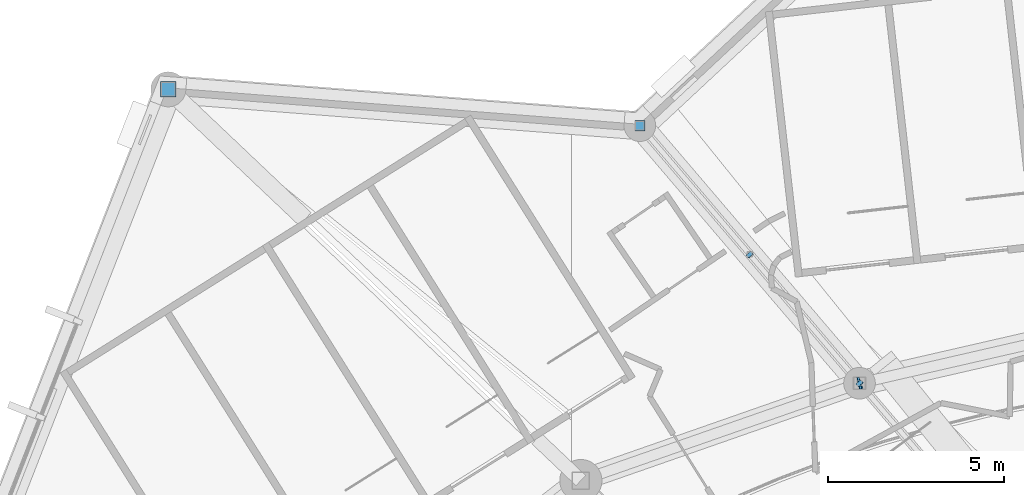
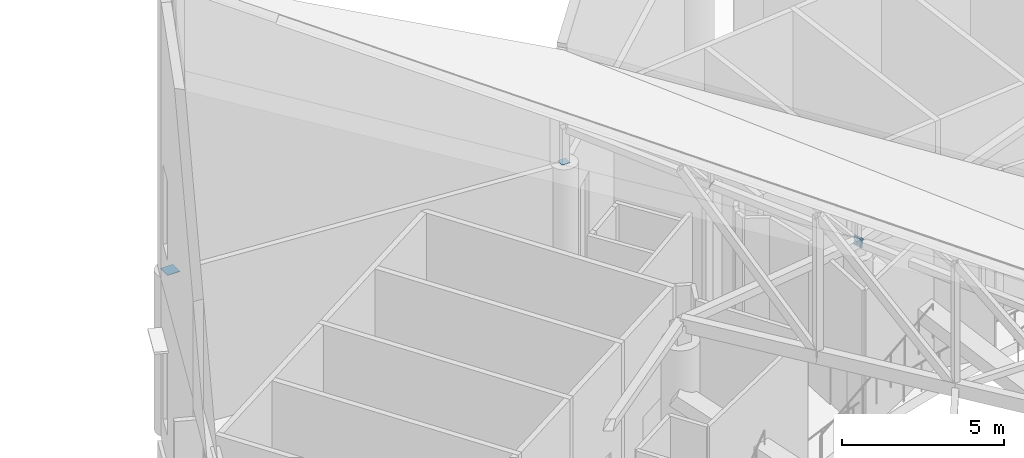
# One storey, part 324 of 344: 6 discrete accessories.
"""IFC4 building model written with IfcOpenShell, lengths in metres."""

from ifc_helpers import new_model, si_unit, direction, frame, origin, origin_2d, place, context, subcontext, project, spatial, rectangle, extrude, material, material_profile, profile_set, type_object, element, save


model = new_model("IFC4")

# Units and contexts
model_context = context("Model", 3, precision=1e-05, world=origin(), true_north=direction((0.0, 1.0)))
body_context = subcontext(model_context, "Body", "Model", "MODEL_VIEW")
ifc_project = project(units=[si_unit("LENGTHUNIT", "METRE"), si_unit("AREAUNIT", "SQUARE_METRE"), si_unit("VOLUMEUNIT", "CUBIC_METRE"), si_unit("PLANEANGLEUNIT", "RADIAN"), si_unit("MASSUNIT", "GRAM", prefix="KILO")], contexts=[model_context])

# Site, building, storey
site_placement = place(None, origin())
site = spatial("IfcSite", under=ifc_project, at=site_placement, CompositionType="ELEMENT")
building_placement = place(site_placement, origin())
building = spatial("IfcBuilding", under=site, at=building_placement, Name="Meseta Stadium", CompositionType="ELEMENT")
storey_placement = place(building_placement, frame((0.0, 0.0, 24.0)))
storey = spatial("IfcBuildingStorey", under=building, at=storey_placement, Name="L04", CompositionType="ELEMENT", Elevation=24.0)

# Discrete accessories
ifc_material_1 = material(Name="Steel S355", Category="steel")
ifc_material_profile_1 = material_profile(ifc_material_1, rectangle(XDim=0.179931640625, YDim=0.179931640625, at=origin_2d()), Name="PL 180x180")
ifc_profile_set_1 = profile_set([ifc_material_profile_1], Name="Steel S355")
discrete_accessory_type_1 = type_object("IfcDiscreteAccessoryType", Name="End plate 180x180x20", PredefinedType="ANCHORPLATE", material=ifc_profile_set_1)
for number, where, z_axis, x_axis, name in (
    (1, (-55.788818359375, 88.529296875, 5.234375), (-0.539440954056, 0.625261105838, 0.563960997422), (-0.757156729179, -0.653233256547, 0.0), "End plate of ROOF TRUSS RT-23 diagonal"),
    (2, (-58.914794921875, 92.19482421875, 6.26953125), (-0.539440954056, 0.625261105838, 0.563960997422), (-0.757156729179, -0.653233256547, 0.0), "End plate of ROOF TRUSS RT-23 diagonal"),
):
    element("IfcDiscreteAccessory", number, at=place(storey_placement, frame(where, z_axis=z_axis, x_axis=x_axis)), inside=storey, type_object=discrete_accessory_type_1, Name=name, PredefinedType="ANCHORPLATE", context=body_context, shape_type="SweptSolid", body=[
        extrude(rectangle(XDim=0.179931640625, YDim=0.179931640625, at=origin_2d()), origin(), (0.0, 0.0, 1.0), 0.02001953125),
    ])
ifc_material_2 = material(Name="Steel S355", Category="steel")
ifc_material_profile_2 = material_profile(ifc_material_2, rectangle(XDim=0.2900390625, YDim=0.2900390625, at=origin_2d()), Name="PL 290x290")
ifc_profile_set_2 = profile_set([ifc_material_profile_2], Name="Steel S355")
discrete_accessory_type_2 = type_object("IfcDiscreteAccessoryType", Name="End plate 290x290x20", PredefinedType="ANCHORPLATE", material=ifc_profile_set_2)
discrete_accessory_1_placement = place(storey_placement, frame((-62.051513671875, 95.872802734375, 5.97998046875), z_axis=(0.0, 0.0, 1.0), x_axis=(1.0, 0.0, 0.0)))
element("IfcDiscreteAccessory", 3, at=discrete_accessory_1_placement, inside=storey, type_object=discrete_accessory_type_2, Name="End plate of ROOF RIM POST RT-23", PredefinedType="ANCHORPLATE", context=body_context, shape_type="SweptSolid", body=[
    extrude(rectangle(XDim=0.2900390625, YDim=0.2900390625, at=origin_2d()), origin(), (0.0, 0.0, 1.0), 0.02001953125),
])
ifc_material_3 = material(Name="Steel S355", Category="steel")
ifc_material_profile_3 = material_profile(ifc_material_3, rectangle(XDim=0.340087890625, YDim=0.340087890625, at=origin_2d()), Name="PL 340x340")
ifc_profile_set_3 = profile_set([ifc_material_profile_3], Name="Steel S355")
discrete_accessory_type_3 = type_object("IfcDiscreteAccessoryType", Name="End plate 340x340x20", PredefinedType="ANCHORPLATE", material=ifc_profile_set_3)
discrete_accessory_2_placement = place(storey_placement, frame((-55.799560546875, 88.541748046875, 5.24560546875), z_axis=(-0.964491035325, -0.219757451087, -0.146504967391), x_axis=(0.222154512829, -0.975011472973, 0.0)))
element("IfcDiscreteAccessory", 4, at=discrete_accessory_2_placement, inside=storey, type_object=discrete_accessory_type_3, Name="End plate of ROOF PIVOT STRUT RT-22/23", PredefinedType="ANCHORPLATE", context=body_context, shape_type="SweptSolid", body=[
    extrude(rectangle(XDim=0.340087890625, YDim=0.340087890625, at=origin_2d()), origin(), (0.0, 0.0, 1.0), 0.02001953125),
])
discrete_accessory_3_placement = place(storey_placement, frame((-55.78076171875, 88.54833984375, 5.242431640625), z_axis=(-0.931913866156, -0.326774992029, 0.157336107273), x_axis=(0.330896267797, -0.943667134088, 0.0)))
element("IfcDiscreteAccessory", 5, at=discrete_accessory_3_placement, inside=storey, type_object=discrete_accessory_type_3, Name="End plate of ROOF PIVOT STRUT RT-23/24", PredefinedType="ANCHORPLATE", context=body_context, shape_type="SweptSolid", body=[
    extrude(rectangle(XDim=0.340087890625, YDim=0.340087890625, at=origin_2d()), origin(), (0.0, 0.0, 1.0), 0.020263671875),
])
ifc_material_4 = material(Name="Steel S355", Category="steel")
ifc_material_profile_4 = material_profile(ifc_material_4, rectangle(XDim=0.43994140625, YDim=0.43994140625, at=origin_2d()), Name="PL 440x440")
ifc_profile_set_4 = profile_set([ifc_material_profile_4], Name="Steel S355")
discrete_accessory_type_4 = type_object("IfcDiscreteAccessoryType", Name="End plate 440x440x20", PredefinedType="ANCHORPLATE", material=ifc_profile_set_4)
discrete_accessory_4_placement = place(storey_placement, frame((-75.474609375, 96.908447265625, 5.97998046875), z_axis=(0.0, 0.0, 1.0), x_axis=(1.0, 0.0, 0.0)))
element("IfcDiscreteAccessory", 6, at=discrete_accessory_4_placement, inside=storey, type_object=discrete_accessory_type_4, Name="End plate of ROOF RIM POST RT-24", PredefinedType="ANCHORPLATE", context=body_context, shape_type="SweptSolid", body=[
    extrude(rectangle(XDim=0.43994140625, YDim=0.43994140625, at=origin_2d()), origin(), (0.0, 0.0, 1.0), 0.02001953125),
])

save(model, "model.ifc")
